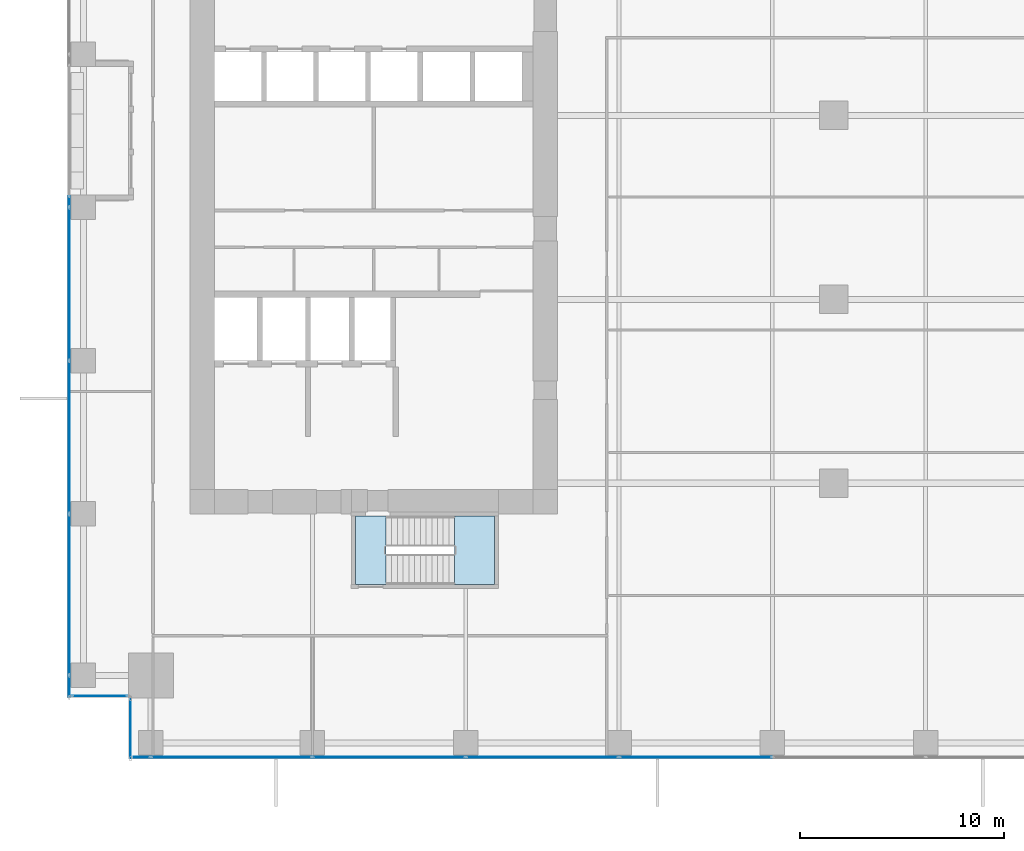
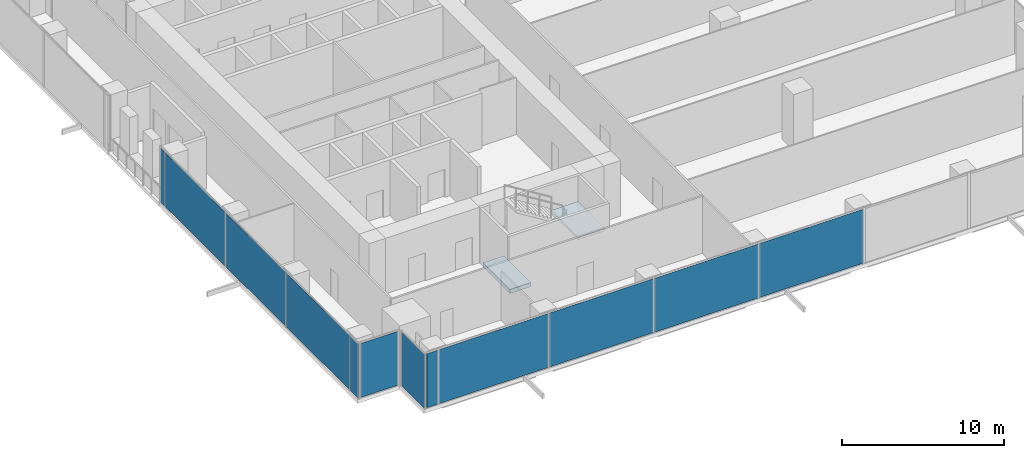
# One storey, part 21 of 32: 12 plates, 2 slabs, 5 elements without a shape of their own.
"""IFC4 building model written with IfcOpenShell, lengths in metres."""

from ifc_helpers import new_model, si_unit, direction, frame, origin, origin_2d, place, context, subcontext, project, spatial, polyline, rectangle, outline, extrude, source, transform, mapped, material, layer, layer_set, type_object, element, aggregate, save


model = new_model("IFC4")

# Units and contexts
model_context = context("Model", 3, precision=1e-05, world=origin(), true_north=direction((0.0, 1.0)))
body_context = subcontext(model_context, "Body", "Model", "MODEL_VIEW")
ifc_project = project(units=[si_unit("LENGTHUNIT", "METRE"), si_unit("AREAUNIT", "SQUARE_METRE"), si_unit("VOLUMEUNIT", "CUBIC_METRE"), si_unit("PLANEANGLEUNIT", "RADIAN"), si_unit("MASSUNIT", "GRAM", prefix="KILO")], contexts=[model_context])

# Site, building, storey
site_placement = place(None, origin())
site = spatial("IfcSite", under=ifc_project, at=site_placement, CompositionType="ELEMENT")
building_placement = place(site_placement, origin())
building = spatial("IfcBuilding", under=site, at=building_placement, Name="Khomas Fold Tower", CompositionType="ELEMENT")
storey_placement = place(building_placement, frame((0.0, 0.0, 64.5)))
storey = spatial("IfcBuildingStorey", under=building, at=storey_placement, Name="L13", CompositionType="ELEMENT", Elevation=64.5)

# Curtain wall, plates
ifc_material_1 = material(Name="Aluminium framed double glazing", Category="aluminium")
curtain_wall_type = type_object("IfcCurtainWallType", Name="SK-Unitised clear-glass wall, growing floors CW1", PredefinedType="NOTDEFINED", material=ifc_material_1)
curtain_wall_1_placement = place(storey_placement, origin())
curtain_wall_1 = element("IfcCurtainWall", 1, at=curtain_wall_1_placement, inside=storey, type_object=curtain_wall_type, Name="CW1 run L13 00-0", PredefinedType="NOTDEFINED")
ifc_material_2 = material(Name="Clear double glazed unit")
ifc_layer_1 = layer(ifc_material_2, 0.031982421875)
ifc_layer_set_1 = layer_set([ifc_layer_1], Name="Clear double glazed unit")
plate_type = type_object("IfcPlateType", Name="SK-Unitised clear-glass wall, growing floors glass panel CW1-P", PredefinedType="CURTAIN_PANEL", material=ifc_layer_set_1)
shared_shape_1 = source(origin(), body_context, "Body", "SweptSolid", [
    extrude(rectangle(XDim=0.81005859375, YDim=0.031982421875, at=origin_2d()), origin(), (0.0, 0.0, 1.0), 4.080078125),
])
plate_1_placement = place(storey_placement, frame((3.6650390625, 0.10009765625, 0.0), z_axis=(0.0, 0.0, 1.0), x_axis=(1.0, 0.0, 0.0)))
plate_1 = element("IfcPlate", 2, at=plate_1_placement, type_object=plate_type, Name="CW1 glass panel 1", PredefinedType="CURTAIN_PANEL", context=body_context, shape_type="MappedRepresentation", body=[
    mapped(shared_shape_1, transform((0.0, 0.0, 0.0))),
])
shared_shape_2 = source(origin(), body_context, "Body", "SweptSolid", [
    extrude(rectangle(XDim=7.840087890625, YDim=0.031982421875, at=origin_2d()), origin(), (0.0, 0.0, 1.0), 4.080078125),
])
plate_2_placement = place(storey_placement, frame((8.050048828125, 0.10009765625, 0.0), z_axis=(0.0, 0.0, 1.0), x_axis=(1.0, 0.0, 0.0)))
plate_2 = element("IfcPlate", 3, at=plate_2_placement, type_object=plate_type, Name="CW1 glass panel 2", PredefinedType="CURTAIN_PANEL", context=body_context, shape_type="MappedRepresentation", body=[
    mapped(shared_shape_2, transform((0.0, 0.0, 0.0))),
])

# Curtain wall, plate
curtain_wall_2_placement = place(storey_placement, origin())
curtain_wall_2 = element("IfcCurtainWall", 4, at=curtain_wall_2_placement, inside=storey, type_object=curtain_wall_type, Name="CW1 run L13 09-1", PredefinedType="NOTDEFINED")
plate_3_placement = place(storey_placement, frame((0.10009765625, 8.050048828125, 0.0), z_axis=(0.0, 0.0, 1.0), x_axis=(0.0, -1.0, 0.0)))
plate_3 = element("IfcPlate", 5, at=plate_3_placement, type_object=plate_type, Name="CW1 glass panel 4", PredefinedType="CURTAIN_PANEL", context=body_context, shape_type="MappedRepresentation", body=[
    mapped(shared_shape_2, transform((0.0, 0.0, 0.0))),
])

# Plate
shared_shape_3 = source(origin(), body_context, "Body", "SweptSolid", [
    extrude(rectangle(XDim=7.43994140625, YDim=0.031982421875, at=origin_2d()), origin(), (0.0, 0.0, 1.0), 4.080078125),
])
plate_4_placement = place(storey_placement, frame((15.75, 0.10009765625, 0.0), z_axis=(0.0, 0.0, 1.0), x_axis=(1.0, 0.0, 0.0)))
plate_4 = element("IfcPlate", 6, at=plate_4_placement, type_object=plate_type, Name="CW1 glass panel 3", PredefinedType="CURTAIN_PANEL", context=body_context, shape_type="MappedRepresentation", body=[
    mapped(shared_shape_3, transform((0.0, 0.0, 0.0))),
])

plate_5_placement = place(storey_placement, frame((23.25, 0.10009765625, 0.0), z_axis=(0.0, 0.0, 1.0), x_axis=(1.0, 0.0, 0.0)))
plate_5 = element("IfcPlate", 7, at=plate_5_placement, type_object=plate_type, Name="CW1 glass panel 4", PredefinedType="CURTAIN_PANEL", context=body_context, shape_type="MappedRepresentation", body=[
    mapped(shared_shape_3, transform((0.0, 0.0, 0.0))),
])

plate_6_placement = place(storey_placement, frame((30.75, 0.10009765625, 0.0), z_axis=(0.0, 0.0, 1.0), x_axis=(1.0, 0.0, 0.0)))
plate_6 = element("IfcPlate", 8, at=plate_6_placement, type_object=plate_type, Name="CW1 glass panel 5", PredefinedType="CURTAIN_PANEL", context=body_context, shape_type="MappedRepresentation", body=[
    mapped(shared_shape_3, transform((0.0, 0.0, 0.0))),
])

aggregate(curtain_wall_1, [plate_1, plate_2, plate_4, plate_5, plate_6])

plate_7_placement = place(storey_placement, frame((0.10009765625, 23.25, 0.0), z_axis=(0.0, 0.0, 1.0), x_axis=(0.0, -1.0, 0.0)))
plate_7 = element("IfcPlate", 9, at=plate_7_placement, type_object=plate_type, Name="CW1 glass panel 2", PredefinedType="CURTAIN_PANEL", context=body_context, shape_type="MappedRepresentation", body=[
    mapped(shared_shape_3, transform((0.0, 0.0, 0.0))),
])

plate_8_placement = place(storey_placement, frame((0.10009765625, 15.75, 0.0), z_axis=(0.0, 0.0, 1.0), x_axis=(0.0, -1.0, 0.0)))
plate_8 = element("IfcPlate", 10, at=plate_8_placement, type_object=plate_type, Name="CW1 glass panel 3", PredefinedType="CURTAIN_PANEL", context=body_context, shape_type="MappedRepresentation", body=[
    mapped(shared_shape_3, transform((0.0, 0.0, 0.0))),
])

shared_shape_4 = source(origin(), body_context, "Body", "SweptSolid", [
    extrude(rectangle(XDim=1.010009765625, YDim=0.031982421875, at=origin_2d()), origin(), (0.0, 0.0, 1.0), 4.080078125),
])
plate_9_placement = place(storey_placement, frame((0.10009765625, 3.56494140625, 0.0), z_axis=(0.0, 0.0, 1.0), x_axis=(0.0, -1.0, 0.0)))
plate_9 = element("IfcPlate", 11, at=plate_9_placement, type_object=plate_type, Name="CW1 glass panel 5", PredefinedType="CURTAIN_PANEL", context=body_context, shape_type="MappedRepresentation", body=[
    mapped(shared_shape_4, transform((0.0, 0.0, 0.0))),
])

# Curtain wall, plate
curtain_wall_3_placement = place(storey_placement, origin())
curtain_wall_3 = element("IfcCurtainWall", 12, at=curtain_wall_3_placement, inside=storey, type_object=curtain_wall_type, Name="CW1 corner return L13 10", PredefinedType="NOTDEFINED")
shared_shape_5 = source(origin(), body_context, "Body", "SweptSolid", [
    extrude(rectangle(XDim=2.679931640625, YDim=0.031982421875, at=origin_2d()), origin(), (0.0, 0.0, 1.0), 4.080078125),
])
plate_10_placement = place(storey_placement, frame((1.60009765625, 3.10009765625, 0.0), z_axis=(0.0, 0.0, 1.0), x_axis=(1.0, 0.0, 0.0)))
plate_10 = element("IfcPlate", 13, at=plate_10_placement, type_object=plate_type, Name="CW1 glass panel 1", PredefinedType="CURTAIN_PANEL", context=body_context, shape_type="MappedRepresentation", body=[
    mapped(shared_shape_5, transform((0.0, 0.0, 0.0))),
])
aggregate(curtain_wall_3, [plate_10])

curtain_wall_4_placement = place(storey_placement, origin())
curtain_wall_4 = element("IfcCurtainWall", 14, at=curtain_wall_4_placement, inside=storey, type_object=curtain_wall_type, Name="CW1 corner return L13 11", PredefinedType="NOTDEFINED")
shared_shape_6 = source(origin(), body_context, "Body", "SweptSolid", [
    extrude(rectangle(XDim=2.8798828125, YDim=0.031982421875, at=origin_2d()), origin(), (0.0, 0.0, 1.0), 4.080078125),
])
plate_11_placement = place(storey_placement, frame((3.10009765625, 1.5, 0.0), z_axis=(0.0, 0.0, 1.0), x_axis=(0.0, -1.0, 0.0)))
plate_11 = element("IfcPlate", 15, at=plate_11_placement, type_object=plate_type, Name="CW1 glass panel 1", PredefinedType="CURTAIN_PANEL", context=body_context, shape_type="MappedRepresentation", body=[
    mapped(shared_shape_6, transform((0.0, 0.0, 0.0))),
])
aggregate(curtain_wall_4, [plate_11])

# Plate
shared_shape_7 = source(origin(), body_context, "Body", "SweptSolid", [
    extrude(rectangle(XDim=0.510009765625, YDim=0.031982421875, at=origin_2d()), origin(), (0.0, 0.0, 1.0), 4.080078125),
])
plate_12_placement = place(storey_placement, frame((0.10009765625, 27.284912109375, 0.0), z_axis=(0.0, 0.0, 1.0), x_axis=(0.0, -1.0, 0.0)))
plate_12 = element("IfcPlate", 16, at=plate_12_placement, type_object=plate_type, Name="CW1 glass panel 1", PredefinedType="CURTAIN_PANEL", context=body_context, shape_type="MappedRepresentation", body=[
    mapped(shared_shape_7, transform((0.0, 0.0, 0.0))),
])

aggregate(curtain_wall_2, [plate_12, plate_7, plate_8, plate_3, plate_9])

# Stair, slab
ifc_material_3 = material(Name="Concrete C40/50", Category="concrete")
stair_type = type_object("IfcStairType", Name="Stair ST2", PredefinedType="HALF_TURN_STAIR", material=ifc_material_3)
stair_placement = place(storey_placement, origin())
stair = element("IfcStair", 17, at=stair_placement, inside=storey, type_object=stair_type, Name="L13 ST2", PredefinedType="HALF_TURN_STAIR")
ifc_material_4 = material(Name="Concrete C40/50", Category="concrete")
ifc_layer_2 = layer(ifc_material_4, 0.199951171875)
ifc_layer_set_2 = layer_set([ifc_layer_2], Name="Concrete C40/50")
slab_type_1 = type_object("IfcSlabType", Name="Stair landing 200", PredefinedType="LANDING", material=ifc_layer_set_2)
shared_shape_8 = source(origin(), body_context, "Body", "SweptSolid", [
    extrude(outline(polyline([(18.9599609375, 8.550048828125), (20.89990234375, 8.550048828125), (20.89990234375, 11.89990234375), (18.9599609375, 11.89990234375), (18.9599609375, 8.550048828125)])), origin(), (0.0, 0.0, 1.0), 0.199951171875),
])
slab_1_placement = place(storey_placement, frame((0.0, 0.0, 2.050048828125)))
slab_1 = element("IfcSlab", 18, at=slab_1_placement, type_object=slab_type_1, Name="ST2 landing 1", PredefinedType="LANDING", context=body_context, shape_type="MappedRepresentation", body=[
    mapped(shared_shape_8, transform((0.0, 0.0, 0.0))),
])
aggregate(stair, [slab_1])

# Slab
ifc_material_5 = material(Name="Concrete C40/50", Category="concrete")
ifc_layer_3 = layer(ifc_material_5, 0.300048828125)
ifc_layer_set_3 = layer_set([ifc_layer_3], Name="Concrete C40/50")
slab_type_2 = type_object("IfcSlabType", Name="Stair floor landing 300", PredefinedType="LANDING", material=ifc_layer_set_3)
shared_shape_9 = source(origin(), body_context, "Body", "SweptSolid", [
    extrude(outline(polyline([(15.60009765625, 8.550048828125), (14.10009765625, 8.550048828125), (14.10009765625, 11.89990234375), (15.60009765625, 11.89990234375), (15.60009765625, 8.550048828125)])), origin(), (0.0, 0.0, 1.0), 0.300048828125),
])
slab_2_placement = place(storey_placement, frame((0.0, 0.0, -0.300048828125)))
element("IfcSlab", 19, at=slab_2_placement, inside=storey, type_object=slab_type_2, Name="ST2 floor landing", PredefinedType="LANDING", context=body_context, shape_type="MappedRepresentation", body=[
    mapped(shared_shape_9, transform((0.0, 0.0, 0.0))),
])

save(model, "model.ifc")
